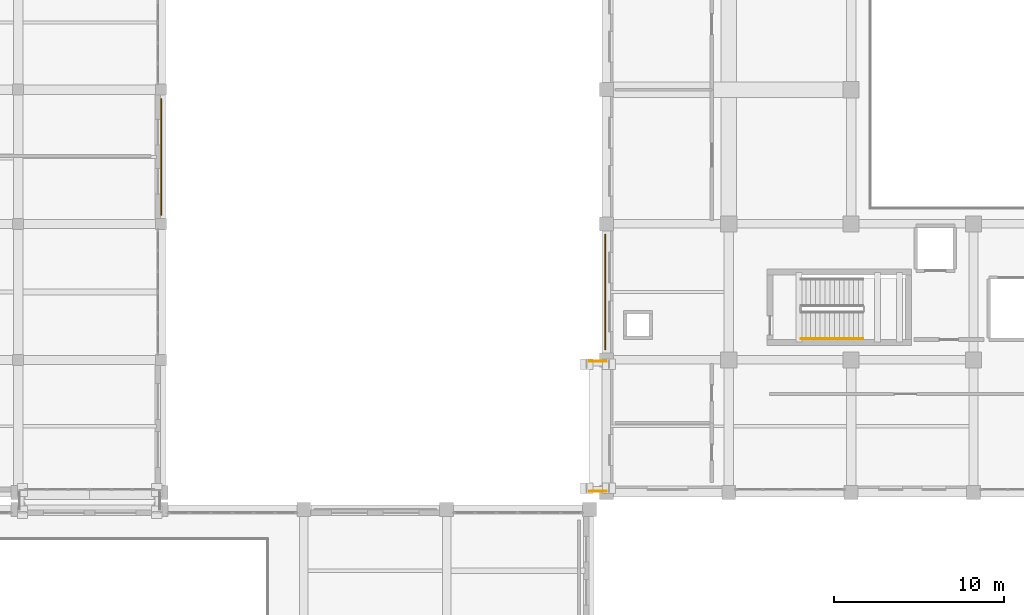
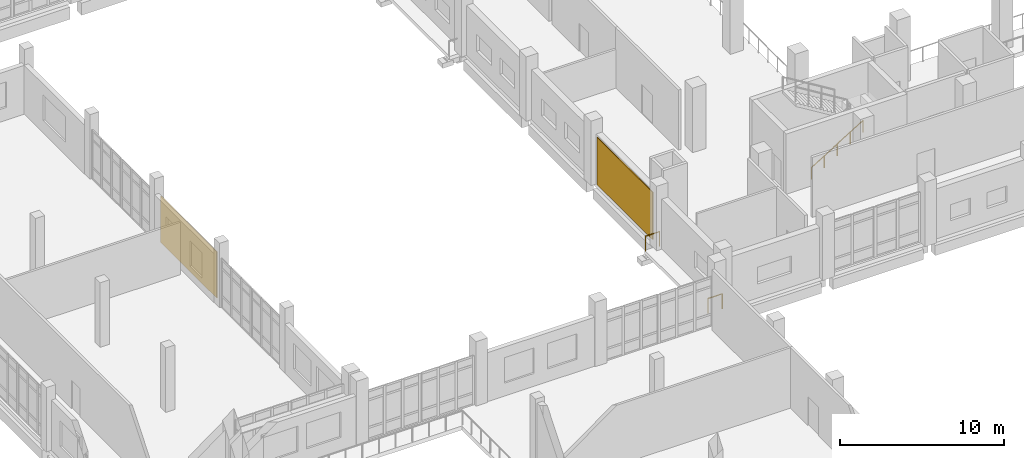
# One storey, part 80 of 90: 3 railings, 2 coverings.
"""IFC4 building model written with IfcOpenShell, lengths in metres."""

from ifc_helpers import new_model, si_unit, direction, frame, origin, origin_2d, place, context, subcontext, project, spatial, rectangle, circle, extrude, material, layer, layer_set, type_object, element, save


model = new_model("IFC4")

# Units and contexts
model_context = context("Model", 3, precision=1e-05, world=origin(), true_north=direction((0.0, 1.0)))
body_context = subcontext(model_context, "Body", "Model", "MODEL_VIEW")
ifc_project = project(units=[si_unit("LENGTHUNIT", "METRE"), si_unit("AREAUNIT", "SQUARE_METRE"), si_unit("VOLUMEUNIT", "CUBIC_METRE"), si_unit("PLANEANGLEUNIT", "RADIAN"), si_unit("MASSUNIT", "GRAM", prefix="KILO")], contexts=[model_context])

# Site, building, storey
site_placement = place(None, origin())
site = spatial("IfcSite", under=ifc_project, at=site_placement, CompositionType="ELEMENT")
building_placement = place(site_placement, origin())
building = spatial("IfcBuilding", under=site, at=building_placement, Name="Kelarvand Opera House", CompositionType="ELEMENT")
storey_placement = place(building_placement, frame((0.0, 0.0, 5.39990234375)))
storey = spatial("IfcBuildingStorey", under=building, at=storey_placement, Name="L01", CompositionType="ELEMENT", Elevation=5.39990234375)

# Coverings
ifc_material_1 = material(Name="Azarshahr buff travertine stone panels", Category="masonry")
ifc_layer = layer(ifc_material_1, 0.06005859375, Name="Azarshahr buff travertine stone panels", Category="masonry")
ifc_layer_set = layer_set([ifc_layer], Name="Azarshahr buff travertine stone panels")
covering_type = type_object("IfcCoveringType", Name="Azarshahr Honed Travertine Rainscreen Cladding 60mm", PredefinedType="CLADDING", material=ifc_layer_set)
covering_1_placement = place(storey_placement, frame((51.93408203125, 50.60009765625, 0.10009765625), z_axis=(0.0, 0.0, 1.0), x_axis=(0.0, 1.0, 0.0)))
element("IfcCovering", 1, at=covering_1_placement, inside=storey, type_object=covering_type, Name="V2 Travertine Facade Cladding 6", PredefinedType="CLADDING", context=body_context, shape_type="SweptSolid", body=[
    extrude(rectangle(XDim=6.780029296875, YDim=0.06005859375, at=origin_2d()), origin(), (0.0, 0.0, 1.0), 3.52197265625),
])
covering_2_placement = place(storey_placement, frame((25.805908203125, 58.550048828125, 0.10009765625), z_axis=(0.0, 0.0, 1.0), x_axis=(0.0, -1.0, 0.0)))
element("IfcCovering", 2, at=covering_2_placement, inside=storey, type_object=covering_type, Name="V4 Travertine Facade Cladding 19", PredefinedType="CLADDING", context=body_context, shape_type="SweptSolid", body=[
    extrude(rectangle(XDim=6.85009765625, YDim=0.06005859375, at=origin_2d()), origin(), (0.0, 0.0, 1.0), 3.44189453125),
])

# Railings
ifc_material_2 = material(Name="Brushed bronze tubular rail")
railing_type_1 = type_object("IfcRailingType", Name="Brushed Bronze Stair Wall Handrail 900", PredefinedType="HANDRAIL", material=ifc_material_2)
railing_placement = place(storey_placement, frame((63.4599609375, 47.85009765625, 0.171630859375)))
element("IfcRailing", 3, at=railing_placement, inside=storey, type_object=railing_type_1, Name="L01 ST-02 stair handrail 1", PredefinedType="HANDRAIL", context=body_context, shape_type="SweptSolid", body=[
    extrude(circle(Radius=0.02392578125, at=origin_2d()), frame((0.0, 0.0, 0.8759765625), z_axis=(0.852865859571, 0.0, 0.52213008492), x_axis=(0.0, 1.0, 0.0)), (0.0, 0.0, 1.0), 4.26806640625),
    extrude(circle(Radius=0.02099609375, at=origin_2d()), origin(), (0.0, 0.0, 1.0), 0.851806640625),
    extrude(circle(Radius=0.02099609375, at=origin_2d()), frame((0.91015625, 0.0, 0.55712890625)), (0.0, 0.0, 1.0), 0.851806640625),
    extrude(circle(Radius=0.02099609375, at=origin_2d()), frame((1.820068359375, 0.0, 1.1142578125)), (0.0, 0.0, 1.0), 0.851806640625),
    extrude(circle(Radius=0.02099609375, at=origin_2d()), frame((2.72998046875, 0.0, 1.67138671875)), (0.0, 0.0, 1.0), 0.851806640625),
    extrude(circle(Radius=0.02099609375, at=origin_2d()), frame((3.64013671875, 0.0, 2.228515625)), (0.0, 0.0, 1.0), 0.851806640625),
])
ifc_material_3 = material(Name="Laminated safety glass with bronze cap rail", Category="glass")
railing_type_2 = type_object("IfcRailingType", Name="Laminated Glass and Bronze Foyer Balustrade 1120", PredefinedType="BALUSTRADE", material=ifc_material_3)
for number, where, name in (
    (4, (51.0, 38.8798828125, 0.0), "V1 L01 Balustrade 131"),
    (5, (51.0, 46.52001953125, 0.0), "V1 L01 Balustrade 132"),
):
    element("IfcRailing", number, at=place(storey_placement, frame(where)), inside=storey, type_object=railing_type_2, Name=name, PredefinedType="BALUSTRADE", context=body_context, shape_type="SweptSolid", body=[
        extrude(circle(Radius=0.02392578125, at=origin_2d()), frame((0.0, 0.0, 1.09619140625), z_axis=(1.0, 0.0, 0.0), x_axis=(0.0, 1.0, 0.0)), (0.0, 0.0, 1.0), 1.0),
        extrude(circle(Radius=0.02099609375, at=origin_2d()), origin(), (0.0, 0.0, 1.0), 1.072021484375),
        extrude(circle(Radius=0.02099609375, at=origin_2d()), frame((1.0, 0.0, 0.0)), (0.0, 0.0, 1.0), 1.072021484375),
    ])

save(model, "model.ifc")
